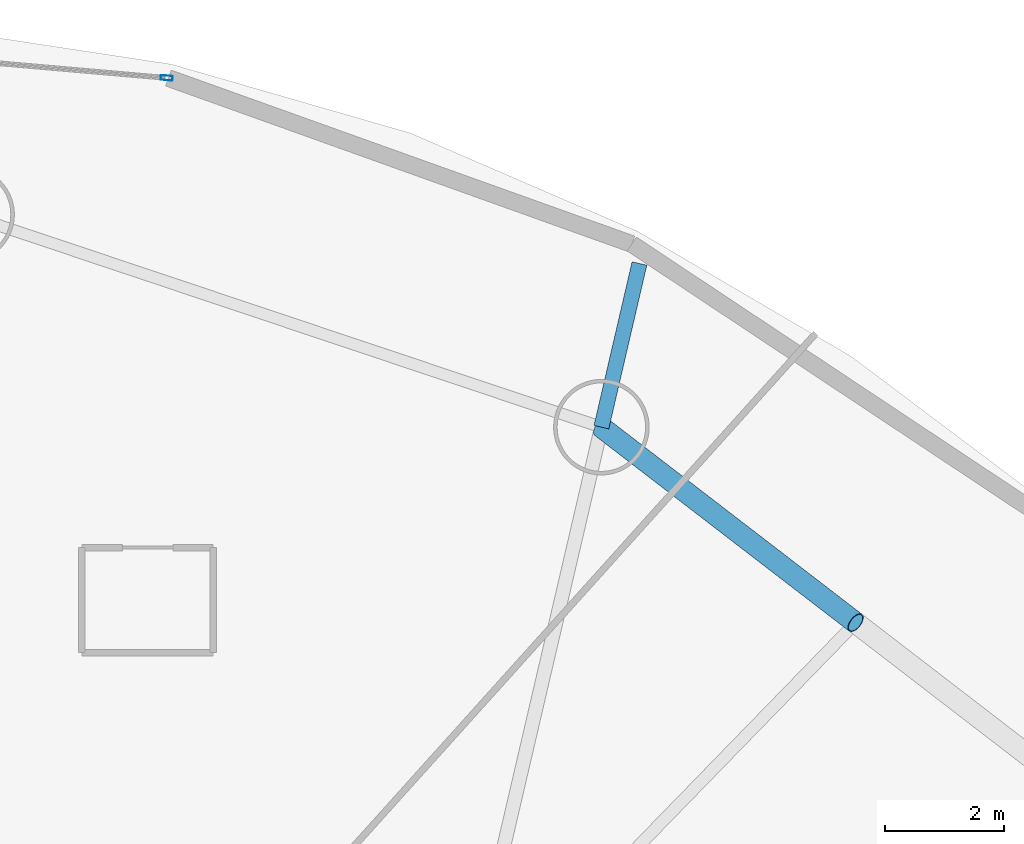
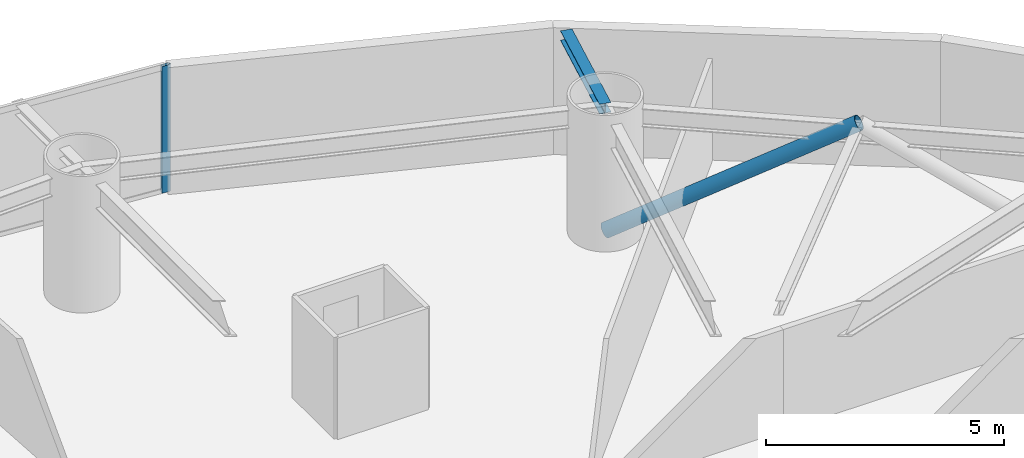
# One storey, part 16 of 24: 2 members, 1 beam, 1 element without a shape of its own.
"""IFC4 building model written with IfcOpenShell, lengths in metres."""

from ifc_helpers import new_model, si_unit, direction, frame, origin, origin_2d, place, context, subcontext, project, spatial, hollow_rectangle, hollow_circle, i_section, extrude, material, layer, layer_set, material_profile, profile_set, type_object, element, aggregate, save


model = new_model("IFC4")

# Units and contexts
model_context = context("Model", 3, precision=1e-05, world=origin(), true_north=direction((0.0, 1.0)))
body_context = subcontext(model_context, "Body", "Model", "MODEL_VIEW")
ifc_project = project(units=[si_unit("LENGTHUNIT", "METRE"), si_unit("AREAUNIT", "SQUARE_METRE"), si_unit("VOLUMEUNIT", "CUBIC_METRE"), si_unit("PLANEANGLEUNIT", "RADIAN"), si_unit("MASSUNIT", "GRAM", prefix="KILO")], contexts=[model_context])

# Site, building, storey
site_placement = place(None, origin())
site = spatial("IfcSite", under=ifc_project, at=site_placement, CompositionType="ELEMENT")
building_placement = place(site_placement, origin())
building = spatial("IfcBuilding", under=site, at=building_placement, Name="Bramvorn Convention Spire", CompositionType="ELEMENT")
storey_placement = place(building_placement, frame((0.0, 0.0, 83.39990234375)))
storey = spatial("IfcBuildingStorey", under=building, at=storey_placement, Name="L19", CompositionType="ELEMENT", Elevation=83.39990234375)

# Beam
ifc_material_1 = material(Name="Steel CSA G40.21 Grade 350 (350W)", Category="steel")
ifc_material_profile_1 = material_profile(ifc_material_1, i_section(OverallWidth=0.25390625, OverallDepth=0.2529296875, WebThickness=0.008544921875, FlangeThickness=0.01416015625, FilletRadius=0.011962890625, at=origin_2d()))
ifc_profile_set_1 = profile_set([ifc_material_profile_1], Name="Steel CSA G40.21 Grade 350 (350W) - W250X73")
beam_type = type_object("IfcBeamType", Name="BM-W250X73", PredefinedType="BEAM", material=ifc_profile_set_1)
beam_placement = place(storey_placement, frame((51.59033203125, 43.509033203125, 3.12353515625), z_axis=(0.226582392964, 0.973992001609, 0.0), x_axis=(-0.973992001609, 0.226582392964, 0.0)))
element("IfcBeam", 1, at=beam_placement, inside=storey, type_object=beam_type, Name="L19 slab-edge cantilever tip beam MC04", PredefinedType="BEAM", context=body_context, shape_type="SweptSolid", body=[
    extrude(i_section(OverallWidth=0.25390625, OverallDepth=0.2529296875, WebThickness=0.008544921875, FlangeThickness=0.01416015625, FilletRadius=0.011962890625, at=origin_2d()), origin(), (0.0, 0.0, 1.0), 2.814453125),
])

# Curtain wall, member
ifc_material_2 = material(Name="Anodised Bronze Unitised Curtain Wall", Category="aluminium")
ifc_layer = layer(ifc_material_2, 0.179931640625)
ifc_layer_set = layer_set([ifc_layer], Name="Anodised Bronze Unitised Curtain Wall - CW-HTL-FRIT")
curtain_wall_type = type_object("IfcCurtainWallType", Name="CW-HTL-FRIT", PredefinedType="USERDEFINED", material=ifc_layer_set)
curtain_wall_placement = place(storey_placement, origin())
curtain_wall = element("IfcCurtainWall", 2, at=curtain_wall_placement, inside=storey, type_object=curtain_wall_type, Name="L19 fritted glass curtain wall 07", ObjectType="UNITISED CURTAIN WALL", PredefinedType="USERDEFINED")
ifc_material_3 = material(Name="Anodised Bronze Aluminium 6063-T6", Category="aluminium")
ifc_material_profile_2 = material_profile(ifc_material_3, hollow_rectangle(XDim=0.080078125, YDim=0.199951171875, WallThickness=0.00390625, InnerFilletRadius=0.0009765625, OuterFilletRadius=0.00390625, at=origin_2d()))
ifc_profile_set_2 = profile_set([ifc_material_profile_2], Name="Anodised Bronze Aluminium 6063-T6 - CWM80X200")
member_type_1 = type_object("IfcMemberType", Name="CW-MUL-180", PredefinedType="MULLION", material=ifc_profile_set_2)
member_1_placement = place(storey_placement, frame((44.31201171875, 49.35693359375, 0.0), z_axis=(0.0, 0.0, 1.0), x_axis=(0.087036447575, 0.99620512787, 0.0)))
member_1 = element("IfcMember", 3, at=member_1_placement, type_object=member_type_1, Name="CW2 mullion 2", PredefinedType="MULLION", context=body_context, shape_type="SweptSolid", body=[
    extrude(hollow_rectangle(XDim=0.080078125, YDim=0.199951171875, WallThickness=0.00390625, InnerFilletRadius=0.0009765625, OuterFilletRadius=0.00390625, at=origin_2d()), origin(), (0.0, 0.0, 1.0), 3.25),
])
aggregate(curtain_wall, [member_1])

# Member
ifc_material_profile_3 = material_profile(ifc_material_1, hollow_circle(Radius=0.177734375, WallThickness=0.015869140625, at=origin_2d()))
ifc_profile_set_3 = profile_set([ifc_material_profile_3], Name="Steel CSA G40.21 Grade 350 (350W) - CHS356X16")
member_type_2 = type_object("IfcMemberType", Name="MBR-CHS356X16", PredefinedType="BRACE", material=ifc_profile_set_3)
member_2_placement = place(storey_placement, frame((51.59033203125, 43.509033203125, 0.0), z_axis=(0.678169858834, -0.521597324617, 0.517708289987), x_axis=(0.609658037113, 0.792664543034, 0.0)))
element("IfcMember", 4, at=member_2_placement, inside=storey, type_object=member_type_2, Name="L19 perimeter Gothic lancet brace 3B", PredefinedType="BRACE", context=body_context, shape_type="SweptSolid", body=[
    extrude(hollow_circle(Radius=0.177734375, WallThickness=0.015869140625, at=origin_2d()), origin(), (0.0, 0.0, 1.0), 6.277587890625),
])

save(model, "model.ifc")
